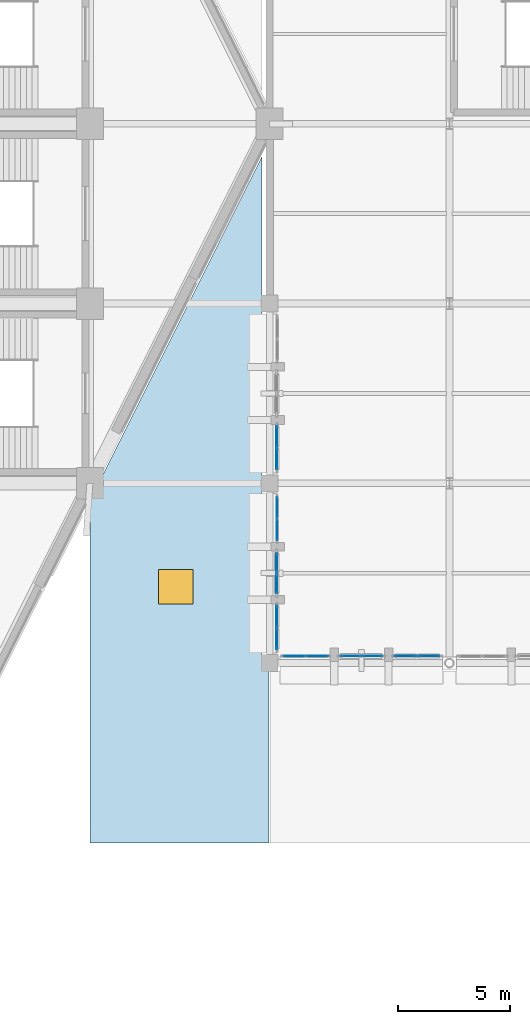
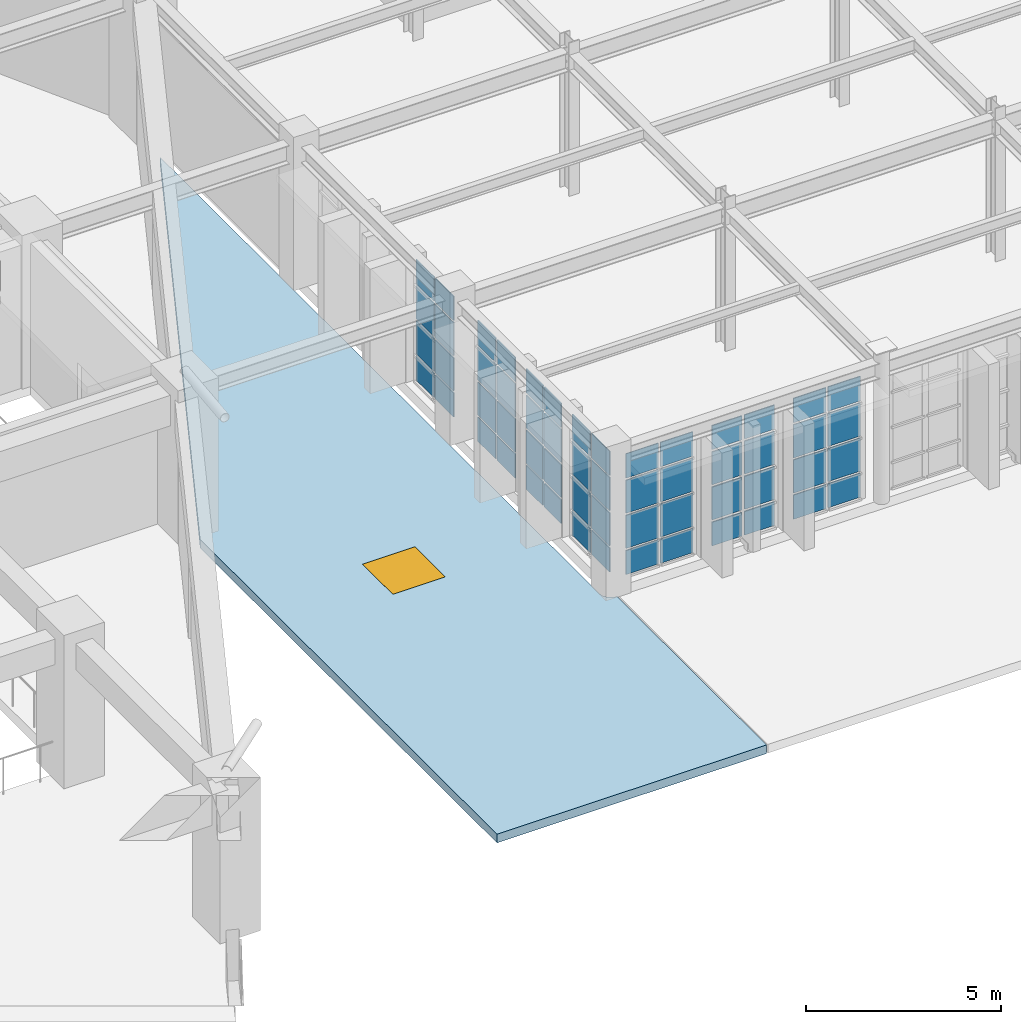
# One storey, part 109 of 155: 56 plates, 1 slab, 1 window, 1 opening, 7 elements without a shape of their own.
"""IFC4 building model written with IfcOpenShell, lengths in metres."""

from ifc_helpers import new_model, si_unit, direction, frame, origin, origin_2d, place, context, subcontext, project, spatial, polyline, rectangle, outline, extrude, material, layer, layer_set, type_object, element, fill, aggregate, save


model = new_model("IFC4")

# Units and contexts
model_context = context("Model", 3, precision=1e-05, world=origin(), true_north=direction((0.0, 1.0)))
body_context = subcontext(model_context, "Body", "Model", "MODEL_VIEW")
ifc_project = project(units=[si_unit("LENGTHUNIT", "METRE"), si_unit("AREAUNIT", "SQUARE_METRE"), si_unit("VOLUMEUNIT", "CUBIC_METRE"), si_unit("PLANEANGLEUNIT", "RADIAN"), si_unit("MASSUNIT", "GRAM", prefix="KILO")], contexts=[model_context])

# Site, building, storey
site_placement = place(None, origin())
site = spatial("IfcSite", under=ifc_project, at=site_placement, CompositionType="ELEMENT")
building_placement = place(site_placement, origin())
building = spatial("IfcBuilding", under=site, at=building_placement, Name="Tazarka Park Arena", CompositionType="ELEMENT")
storey_placement = place(building_placement, frame((0.0, 0.0, 5.39990234375)))
storey = spatial("IfcBuildingStorey", under=building, at=storey_placement, Name="L01", CompositionType="ELEMENT", Elevation=5.39990234375)

# Curtain wall, plates
ifc_material_1 = material(Name="Aluminium and low-e glass", Category="aluminium")
ifc_layer_1 = layer(ifc_material_1, 0.179931640625, Name="Aluminium and low-e glass")
ifc_layer_set_1 = layer_set([ifc_layer_1], Name="Aluminium and low-e glass")
curtain_wall_type_1 = type_object("IfcCurtainWallType", Name="CW-15", PredefinedType="NOTDEFINED", material=ifc_layer_set_1)
curtain_wall_1_placement = place(storey_placement, origin())
curtain_wall_1 = element("IfcCurtainWall", 1, at=curtain_wall_1_placement, inside=storey, type_object=curtain_wall_type_1, Name="Curtain Wall CWA-L01-165", PredefinedType="NOTDEFINED")
ifc_material_2 = material(Name="Double low-e insulated glazing", Category="glass")
ifc_layer_2 = layer(ifc_material_2, 0.028076171875, Name="Double low-e insulated glazing")
ifc_layer_set_2 = layer_set([ifc_layer_2], Name="Double low-e insulated glazing")
plate_type_1 = type_object("IfcPlateType", Name="CWP-01", PredefinedType="CURTAIN_PANEL", material=ifc_layer_set_2)
plate_1_placement = place(storey_placement, frame((136.320068359375, 45.92138671875, 0.065185546875), z_axis=(0.0, 0.0, 1.0), x_axis=(0.0, 1.0, 0.0)))
plate_1 = element("IfcPlate", 2, at=plate_1_placement, type_object=plate_type_1, Name="CW-15 panel 1.1", PredefinedType="CURTAIN_PANEL", context=body_context, shape_type="SweptSolid", body=[
    extrude(rectangle(XDim=0.92919921875, YDim=0.028076171875, at=origin_2d()), origin(), (0.0, 0.0, 1.0), 0.75244140625),
])
plate_2_placement = place(storey_placement, frame((136.320068359375, 45.92138671875, 0.8828125), z_axis=(0.0, 0.0, 1.0), x_axis=(0.0, 1.0, 0.0)))
plate_2 = element("IfcPlate", 3, at=plate_2_placement, type_object=plate_type_1, Name="CW-15 panel 1.2", PredefinedType="CURTAIN_PANEL", context=body_context, shape_type="SweptSolid", body=[
    extrude(rectangle(XDim=0.92919921875, YDim=0.028076171875, at=origin_2d()), origin(), (0.0, 0.0, 1.0), 1.034912109375),
])
plate_3_placement = place(storey_placement, frame((136.320068359375, 45.92138671875, 1.982421875), z_axis=(0.0, 0.0, 1.0), x_axis=(0.0, 1.0, 0.0)))
plate_3 = element("IfcPlate", 4, at=plate_3_placement, type_object=plate_type_1, Name="CW-15 panel 1.3", PredefinedType="CURTAIN_PANEL", context=body_context, shape_type="SweptSolid", body=[
    extrude(rectangle(XDim=0.92919921875, YDim=0.028076171875, at=origin_2d()), origin(), (0.0, 0.0, 1.0), 1.034912109375),
])
plate_4_placement = place(storey_placement, frame((136.320068359375, 45.92138671875, 3.08251953125), z_axis=(0.0, 0.0, 1.0), x_axis=(0.0, 1.0, 0.0)))
plate_4 = element("IfcPlate", 5, at=plate_4_placement, type_object=plate_type_1, Name="CW-15 panel 1.4", PredefinedType="CURTAIN_PANEL", context=body_context, shape_type="SweptSolid", body=[
    extrude(rectangle(XDim=0.92919921875, YDim=0.028076171875, at=origin_2d()), origin(), (0.0, 0.0, 1.0), 0.762451171875),
])
plate_5_placement = place(storey_placement, frame((136.320068359375, 46.91552734375, 0.065185546875), z_axis=(0.0, 0.0, 1.0), x_axis=(0.0, 1.0, 0.0)))
plate_5 = element("IfcPlate", 6, at=plate_5_placement, type_object=plate_type_1, Name="CW-15 panel 2.1", PredefinedType="CURTAIN_PANEL", context=body_context, shape_type="SweptSolid", body=[
    extrude(rectangle(XDim=0.92919921875, YDim=0.028076171875, at=origin_2d()), origin(), (0.0, 0.0, 1.0), 0.75244140625),
])
plate_6_placement = place(storey_placement, frame((136.320068359375, 46.91552734375, 0.8828125), z_axis=(0.0, 0.0, 1.0), x_axis=(0.0, 1.0, 0.0)))
plate_6 = element("IfcPlate", 7, at=plate_6_placement, type_object=plate_type_1, Name="CW-15 panel 2.2", PredefinedType="CURTAIN_PANEL", context=body_context, shape_type="SweptSolid", body=[
    extrude(rectangle(XDim=0.92919921875, YDim=0.028076171875, at=origin_2d()), origin(), (0.0, 0.0, 1.0), 1.034912109375),
])
plate_7_placement = place(storey_placement, frame((136.320068359375, 46.91552734375, 1.982421875), z_axis=(0.0, 0.0, 1.0), x_axis=(0.0, 1.0, 0.0)))
plate_7 = element("IfcPlate", 8, at=plate_7_placement, type_object=plate_type_1, Name="CW-15 panel 2.3", PredefinedType="CURTAIN_PANEL", context=body_context, shape_type="SweptSolid", body=[
    extrude(rectangle(XDim=0.92919921875, YDim=0.028076171875, at=origin_2d()), origin(), (0.0, 0.0, 1.0), 1.034912109375),
])
plate_8_placement = place(storey_placement, frame((136.320068359375, 46.91552734375, 3.08251953125), z_axis=(0.0, 0.0, 1.0), x_axis=(0.0, 1.0, 0.0)))
plate_8 = element("IfcPlate", 9, at=plate_8_placement, type_object=plate_type_1, Name="CW-15 panel 2.4", PredefinedType="CURTAIN_PANEL", context=body_context, shape_type="SweptSolid", body=[
    extrude(rectangle(XDim=0.92919921875, YDim=0.028076171875, at=origin_2d()), origin(), (0.0, 0.0, 1.0), 0.762451171875),
])
aggregate(curtain_wall_1, [plate_1, plate_2, plate_3, plate_4, plate_5, plate_6, plate_7, plate_8])

ifc_material_3 = material(Name="Aluminium and low-e glass", Category="aluminium")
ifc_layer_3 = layer(ifc_material_3, 0.179931640625, Name="Aluminium and low-e glass")
ifc_layer_set_3 = layer_set([ifc_layer_3], Name="Aluminium and low-e glass")
curtain_wall_type_2 = type_object("IfcCurtainWallType", Name="CW-18", PredefinedType="NOTDEFINED", material=ifc_layer_set_3)
curtain_wall_2_placement = place(storey_placement, origin())
curtain_wall_2 = element("IfcCurtainWall", 10, at=curtain_wall_2_placement, inside=storey, type_object=curtain_wall_type_2, Name="Curtain Wall CWA-L01-168", PredefinedType="NOTDEFINED")
plate_9_placement = place(storey_placement, frame((138.12158203125, 40.320068359375, 0.065185546875), z_axis=(0.0, 0.0, 1.0), x_axis=(-1.0, 0.0, 0.0)))
plate_9 = element("IfcPlate", 11, at=plate_9_placement, type_object=plate_type_1, Name="CW-18 panel 1.1", PredefinedType="CURTAIN_PANEL", context=body_context, shape_type="SweptSolid", body=[
    extrude(rectangle(XDim=0.957763671875, YDim=0.028076171875, at=origin_2d()), origin(), (0.0, 0.0, 1.0), 0.75244140625),
])
plate_10_placement = place(storey_placement, frame((138.12158203125, 40.320068359375, 0.8828125), z_axis=(0.0, 0.0, 1.0), x_axis=(-1.0, 0.0, 0.0)))
plate_10 = element("IfcPlate", 12, at=plate_10_placement, type_object=plate_type_1, Name="CW-18 panel 1.2", PredefinedType="CURTAIN_PANEL", context=body_context, shape_type="SweptSolid", body=[
    extrude(rectangle(XDim=0.957763671875, YDim=0.028076171875, at=origin_2d()), origin(), (0.0, 0.0, 1.0), 1.034912109375),
])
plate_11_placement = place(storey_placement, frame((138.12158203125, 40.320068359375, 1.982421875), z_axis=(0.0, 0.0, 1.0), x_axis=(-1.0, 0.0, 0.0)))
plate_11 = element("IfcPlate", 13, at=plate_11_placement, type_object=plate_type_1, Name="CW-18 panel 1.3", PredefinedType="CURTAIN_PANEL", context=body_context, shape_type="SweptSolid", body=[
    extrude(rectangle(XDim=0.957763671875, YDim=0.028076171875, at=origin_2d()), origin(), (0.0, 0.0, 1.0), 1.034912109375),
])
plate_12_placement = place(storey_placement, frame((138.12158203125, 40.320068359375, 3.08251953125), z_axis=(0.0, 0.0, 1.0), x_axis=(-1.0, 0.0, 0.0)))
plate_12 = element("IfcPlate", 14, at=plate_12_placement, type_object=plate_type_1, Name="CW-18 panel 1.4", PredefinedType="CURTAIN_PANEL", context=body_context, shape_type="SweptSolid", body=[
    extrude(rectangle(XDim=0.957763671875, YDim=0.028076171875, at=origin_2d()), origin(), (0.0, 0.0, 1.0), 0.762451171875),
])
plate_13_placement = place(storey_placement, frame((137.098876953125, 40.320068359375, 0.065185546875), z_axis=(0.0, 0.0, 1.0), x_axis=(-1.0, 0.0, 0.0)))
plate_13 = element("IfcPlate", 15, at=plate_13_placement, type_object=plate_type_1, Name="CW-18 panel 2.1", PredefinedType="CURTAIN_PANEL", context=body_context, shape_type="SweptSolid", body=[
    extrude(rectangle(XDim=0.957763671875, YDim=0.028076171875, at=origin_2d()), origin(), (0.0, 0.0, 1.0), 0.75244140625),
])
plate_14_placement = place(storey_placement, frame((137.098876953125, 40.320068359375, 0.8828125), z_axis=(0.0, 0.0, 1.0), x_axis=(-1.0, 0.0, 0.0)))
plate_14 = element("IfcPlate", 16, at=plate_14_placement, type_object=plate_type_1, Name="CW-18 panel 2.2", PredefinedType="CURTAIN_PANEL", context=body_context, shape_type="SweptSolid", body=[
    extrude(rectangle(XDim=0.957763671875, YDim=0.028076171875, at=origin_2d()), origin(), (0.0, 0.0, 1.0), 1.034912109375),
])
plate_15_placement = place(storey_placement, frame((137.098876953125, 40.320068359375, 1.982421875), z_axis=(0.0, 0.0, 1.0), x_axis=(-1.0, 0.0, 0.0)))
plate_15 = element("IfcPlate", 17, at=plate_15_placement, type_object=plate_type_1, Name="CW-18 panel 2.3", PredefinedType="CURTAIN_PANEL", context=body_context, shape_type="SweptSolid", body=[
    extrude(rectangle(XDim=0.957763671875, YDim=0.028076171875, at=origin_2d()), origin(), (0.0, 0.0, 1.0), 1.034912109375),
])
plate_16_placement = place(storey_placement, frame((137.098876953125, 40.320068359375, 3.08251953125), z_axis=(0.0, 0.0, 1.0), x_axis=(-1.0, 0.0, 0.0)))
plate_16 = element("IfcPlate", 18, at=plate_16_placement, type_object=plate_type_1, Name="CW-18 panel 2.4", PredefinedType="CURTAIN_PANEL", context=body_context, shape_type="SweptSolid", body=[
    extrude(rectangle(XDim=0.957763671875, YDim=0.028076171875, at=origin_2d()), origin(), (0.0, 0.0, 1.0), 0.762451171875),
])
aggregate(curtain_wall_2, [plate_9, plate_10, plate_11, plate_12, plate_13, plate_14, plate_15, plate_16])

ifc_material_4 = material(Name="Aluminium and low-e glass", Category="aluminium")
ifc_layer_4 = layer(ifc_material_4, 0.179931640625, Name="Aluminium and low-e glass")
ifc_layer_set_4 = layer_set([ifc_layer_4], Name="Aluminium and low-e glass")
curtain_wall_type_3 = type_object("IfcCurtainWallType", Name="CW-10", PredefinedType="NOTDEFINED", material=ifc_layer_set_4)
curtain_wall_3_placement = place(storey_placement, origin())
curtain_wall_3 = element("IfcCurtainWall", 19, at=curtain_wall_3_placement, inside=storey, type_object=curtain_wall_type_3, Name="Curtain Wall CWA-L01-160", PredefinedType="NOTDEFINED")
ifc_material_5 = material(Name="Triple acoustic solar glazing", Category="glass")
ifc_layer_5 = layer(ifc_material_5, 0.031982421875, Name="Triple acoustic solar glazing")
ifc_layer_set_5 = layer_set([ifc_layer_5], Name="Triple acoustic solar glazing")
plate_type_2 = type_object("IfcPlateType", Name="CWP-02", PredefinedType="CURTAIN_PANEL", material=ifc_layer_set_5)
plate_17_placement = place(storey_placement, frame((136.320068359375, 49.08447265625, 0.065185546875), z_axis=(0.0, 0.0, 1.0), x_axis=(0.0, 1.0, 0.0)))
plate_17 = element("IfcPlate", 20, at=plate_17_placement, type_object=plate_type_2, Name="CW-10 panel 1.1", PredefinedType="CURTAIN_PANEL", context=body_context, shape_type="SweptSolid", body=[
    extrude(rectangle(XDim=0.92919921875, YDim=0.031982421875, at=origin_2d()), origin(), (0.0, 0.0, 1.0), 0.75244140625),
])
plate_18_placement = place(storey_placement, frame((136.320068359375, 49.08447265625, 0.8828125), z_axis=(0.0, 0.0, 1.0), x_axis=(0.0, 1.0, 0.0)))
plate_18 = element("IfcPlate", 21, at=plate_18_placement, type_object=plate_type_2, Name="CW-10 panel 1.2", PredefinedType="CURTAIN_PANEL", context=body_context, shape_type="SweptSolid", body=[
    extrude(rectangle(XDim=0.92919921875, YDim=0.031982421875, at=origin_2d()), origin(), (0.0, 0.0, 1.0), 1.034912109375),
])
plate_19_placement = place(storey_placement, frame((136.320068359375, 49.08447265625, 1.982421875), z_axis=(0.0, 0.0, 1.0), x_axis=(0.0, 1.0, 0.0)))
plate_19 = element("IfcPlate", 22, at=plate_19_placement, type_object=plate_type_2, Name="CW-10 panel 1.3", PredefinedType="CURTAIN_PANEL", context=body_context, shape_type="SweptSolid", body=[
    extrude(rectangle(XDim=0.92919921875, YDim=0.031982421875, at=origin_2d()), origin(), (0.0, 0.0, 1.0), 1.034912109375),
])
plate_20_placement = place(storey_placement, frame((136.320068359375, 49.08447265625, 3.08251953125), z_axis=(0.0, 0.0, 1.0), x_axis=(0.0, 1.0, 0.0)))
plate_20 = element("IfcPlate", 23, at=plate_20_placement, type_object=plate_type_2, Name="CW-10 panel 1.4", PredefinedType="CURTAIN_PANEL", context=body_context, shape_type="SweptSolid", body=[
    extrude(rectangle(XDim=0.92919921875, YDim=0.031982421875, at=origin_2d()), origin(), (0.0, 0.0, 1.0), 0.75244140625),
])
plate_21_placement = place(storey_placement, frame((136.320068359375, 50.07861328125, 0.065185546875), z_axis=(0.0, 0.0, 1.0), x_axis=(0.0, 1.0, 0.0)))
plate_21 = element("IfcPlate", 24, at=plate_21_placement, type_object=plate_type_2, Name="CW-10 panel 2.1", PredefinedType="CURTAIN_PANEL", context=body_context, shape_type="SweptSolid", body=[
    extrude(rectangle(XDim=0.92919921875, YDim=0.031982421875, at=origin_2d()), origin(), (0.0, 0.0, 1.0), 0.75244140625),
])
plate_22_placement = place(storey_placement, frame((136.320068359375, 50.07861328125, 0.8828125), z_axis=(0.0, 0.0, 1.0), x_axis=(0.0, 1.0, 0.0)))
plate_22 = element("IfcPlate", 25, at=plate_22_placement, type_object=plate_type_2, Name="CW-10 panel 2.2", PredefinedType="CURTAIN_PANEL", context=body_context, shape_type="SweptSolid", body=[
    extrude(rectangle(XDim=0.92919921875, YDim=0.031982421875, at=origin_2d()), origin(), (0.0, 0.0, 1.0), 1.034912109375),
])
plate_23_placement = place(storey_placement, frame((136.320068359375, 50.07861328125, 1.982421875), z_axis=(0.0, 0.0, 1.0), x_axis=(0.0, 1.0, 0.0)))
plate_23 = element("IfcPlate", 26, at=plate_23_placement, type_object=plate_type_2, Name="CW-10 panel 2.3", PredefinedType="CURTAIN_PANEL", context=body_context, shape_type="SweptSolid", body=[
    extrude(rectangle(XDim=0.92919921875, YDim=0.031982421875, at=origin_2d()), origin(), (0.0, 0.0, 1.0), 1.034912109375),
])
plate_24_placement = place(storey_placement, frame((136.320068359375, 50.07861328125, 3.08251953125), z_axis=(0.0, 0.0, 1.0), x_axis=(0.0, 1.0, 0.0)))
plate_24 = element("IfcPlate", 27, at=plate_24_placement, type_object=plate_type_2, Name="CW-10 panel 2.4", PredefinedType="CURTAIN_PANEL", context=body_context, shape_type="SweptSolid", body=[
    extrude(rectangle(XDim=0.92919921875, YDim=0.031982421875, at=origin_2d()), origin(), (0.0, 0.0, 1.0), 0.75244140625),
])
aggregate(curtain_wall_3, [plate_17, plate_18, plate_19, plate_20, plate_21, plate_22, plate_23, plate_24])

ifc_material_6 = material(Name="Aluminium and low-e glass", Category="aluminium")
ifc_layer_6 = layer(ifc_material_6, 0.179931640625, Name="Aluminium and low-e glass")
ifc_layer_set_6 = layer_set([ifc_layer_6], Name="Aluminium and low-e glass")
curtain_wall_type_4 = type_object("IfcCurtainWallType", Name="CW-13", PredefinedType="NOTDEFINED", material=ifc_layer_set_6)
curtain_wall_4_placement = place(storey_placement, origin())
curtain_wall_4 = element("IfcCurtainWall", 28, at=curtain_wall_4_placement, inside=storey, type_object=curtain_wall_type_4, Name="Curtain Wall CWA-L01-163", PredefinedType="NOTDEFINED")
plate_25_placement = place(storey_placement, frame((136.320068359375, 41.08447265625, 0.065185546875), z_axis=(0.0, 0.0, 1.0), x_axis=(0.0, 1.0, 0.0)))
plate_25 = element("IfcPlate", 29, at=plate_25_placement, type_object=plate_type_2, Name="CW-13 panel 1.1", PredefinedType="CURTAIN_PANEL", context=body_context, shape_type="SweptSolid", body=[
    extrude(rectangle(XDim=0.92919921875, YDim=0.031982421875, at=origin_2d()), origin(), (0.0, 0.0, 1.0), 0.75244140625),
])
plate_26_placement = place(storey_placement, frame((136.320068359375, 41.08447265625, 0.8828125), z_axis=(0.0, 0.0, 1.0), x_axis=(0.0, 1.0, 0.0)))
plate_26 = element("IfcPlate", 30, at=plate_26_placement, type_object=plate_type_2, Name="CW-13 panel 1.2", PredefinedType="CURTAIN_PANEL", context=body_context, shape_type="SweptSolid", body=[
    extrude(rectangle(XDim=0.92919921875, YDim=0.031982421875, at=origin_2d()), origin(), (0.0, 0.0, 1.0), 1.034912109375),
])
plate_27_placement = place(storey_placement, frame((136.320068359375, 41.08447265625, 1.982421875), z_axis=(0.0, 0.0, 1.0), x_axis=(0.0, 1.0, 0.0)))
plate_27 = element("IfcPlate", 31, at=plate_27_placement, type_object=plate_type_2, Name="CW-13 panel 1.3", PredefinedType="CURTAIN_PANEL", context=body_context, shape_type="SweptSolid", body=[
    extrude(rectangle(XDim=0.92919921875, YDim=0.031982421875, at=origin_2d()), origin(), (0.0, 0.0, 1.0), 1.034912109375),
])
plate_28_placement = place(storey_placement, frame((136.320068359375, 41.08447265625, 3.08251953125), z_axis=(0.0, 0.0, 1.0), x_axis=(0.0, 1.0, 0.0)))
plate_28 = element("IfcPlate", 32, at=plate_28_placement, type_object=plate_type_2, Name="CW-13 panel 1.4", PredefinedType="CURTAIN_PANEL", context=body_context, shape_type="SweptSolid", body=[
    extrude(rectangle(XDim=0.92919921875, YDim=0.031982421875, at=origin_2d()), origin(), (0.0, 0.0, 1.0), 0.762451171875),
])
plate_29_placement = place(storey_placement, frame((136.320068359375, 42.07861328125, 0.065185546875), z_axis=(0.0, 0.0, 1.0), x_axis=(0.0, 1.0, 0.0)))
plate_29 = element("IfcPlate", 33, at=plate_29_placement, type_object=plate_type_2, Name="CW-13 panel 2.1", PredefinedType="CURTAIN_PANEL", context=body_context, shape_type="SweptSolid", body=[
    extrude(rectangle(XDim=0.92919921875, YDim=0.031982421875, at=origin_2d()), origin(), (0.0, 0.0, 1.0), 0.75244140625),
])
plate_30_placement = place(storey_placement, frame((136.320068359375, 42.07861328125, 0.8828125), z_axis=(0.0, 0.0, 1.0), x_axis=(0.0, 1.0, 0.0)))
plate_30 = element("IfcPlate", 34, at=plate_30_placement, type_object=plate_type_2, Name="CW-13 panel 2.2", PredefinedType="CURTAIN_PANEL", context=body_context, shape_type="SweptSolid", body=[
    extrude(rectangle(XDim=0.92919921875, YDim=0.031982421875, at=origin_2d()), origin(), (0.0, 0.0, 1.0), 1.034912109375),
])
plate_31_placement = place(storey_placement, frame((136.320068359375, 42.07861328125, 1.982421875), z_axis=(0.0, 0.0, 1.0), x_axis=(0.0, 1.0, 0.0)))
plate_31 = element("IfcPlate", 35, at=plate_31_placement, type_object=plate_type_2, Name="CW-13 panel 2.3", PredefinedType="CURTAIN_PANEL", context=body_context, shape_type="SweptSolid", body=[
    extrude(rectangle(XDim=0.92919921875, YDim=0.031982421875, at=origin_2d()), origin(), (0.0, 0.0, 1.0), 1.034912109375),
])
plate_32_placement = place(storey_placement, frame((136.320068359375, 42.07861328125, 3.08251953125), z_axis=(0.0, 0.0, 1.0), x_axis=(0.0, 1.0, 0.0)))
plate_32 = element("IfcPlate", 36, at=plate_32_placement, type_object=plate_type_2, Name="CW-13 panel 2.4", PredefinedType="CURTAIN_PANEL", context=body_context, shape_type="SweptSolid", body=[
    extrude(rectangle(XDim=0.92919921875, YDim=0.031982421875, at=origin_2d()), origin(), (0.0, 0.0, 1.0), 0.762451171875),
])
aggregate(curtain_wall_4, [plate_25, plate_26, plate_27, plate_28, plate_29, plate_30, plate_31, plate_32])

ifc_material_7 = material(Name="Aluminium and low-e glass", Category="aluminium")
ifc_layer_7 = layer(ifc_material_7, 0.179931640625, Name="Aluminium and low-e glass")
ifc_layer_set_7 = layer_set([ifc_layer_7], Name="Aluminium and low-e glass")
curtain_wall_type_5 = type_object("IfcCurtainWallType", Name="CW-16", PredefinedType="NOTDEFINED", material=ifc_layer_set_7)
curtain_wall_5_placement = place(storey_placement, origin())
curtain_wall_5 = element("IfcCurtainWall", 37, at=curtain_wall_5_placement, inside=storey, type_object=curtain_wall_type_5, Name="Curtain Wall CWA-L01-166", PredefinedType="NOTDEFINED")
plate_33_placement = place(storey_placement, frame((143.072998046875, 40.320068359375, 0.065185546875), z_axis=(0.0, 0.0, 1.0), x_axis=(-1.0, 0.0, 0.0)))
plate_33 = element("IfcPlate", 38, at=plate_33_placement, type_object=plate_type_2, Name="CW-16 panel 1.1", PredefinedType="CURTAIN_PANEL", context=body_context, shape_type="SweptSolid", body=[
    extrude(rectangle(XDim=0.957763671875, YDim=0.031982421875, at=origin_2d()), origin(), (0.0, 0.0, 1.0), 0.75244140625),
])
plate_34_placement = place(storey_placement, frame((143.072998046875, 40.320068359375, 0.8828125), z_axis=(0.0, 0.0, 1.0), x_axis=(-1.0, 0.0, 0.0)))
plate_34 = element("IfcPlate", 39, at=plate_34_placement, type_object=plate_type_2, Name="CW-16 panel 1.2", PredefinedType="CURTAIN_PANEL", context=body_context, shape_type="SweptSolid", body=[
    extrude(rectangle(XDim=0.957763671875, YDim=0.031982421875, at=origin_2d()), origin(), (0.0, 0.0, 1.0), 1.034912109375),
])
plate_35_placement = place(storey_placement, frame((143.072998046875, 40.320068359375, 1.982421875), z_axis=(0.0, 0.0, 1.0), x_axis=(-1.0, 0.0, 0.0)))
plate_35 = element("IfcPlate", 40, at=plate_35_placement, type_object=plate_type_2, Name="CW-16 panel 1.3", PredefinedType="CURTAIN_PANEL", context=body_context, shape_type="SweptSolid", body=[
    extrude(rectangle(XDim=0.957763671875, YDim=0.031982421875, at=origin_2d()), origin(), (0.0, 0.0, 1.0), 1.034912109375),
])
plate_36_placement = place(storey_placement, frame((143.072998046875, 40.320068359375, 3.08251953125), z_axis=(0.0, 0.0, 1.0), x_axis=(-1.0, 0.0, 0.0)))
plate_36 = element("IfcPlate", 41, at=plate_36_placement, type_object=plate_type_2, Name="CW-16 panel 1.4", PredefinedType="CURTAIN_PANEL", context=body_context, shape_type="SweptSolid", body=[
    extrude(rectangle(XDim=0.957763671875, YDim=0.031982421875, at=origin_2d()), origin(), (0.0, 0.0, 1.0), 0.762451171875),
])
plate_37_placement = place(storey_placement, frame((142.050048828125, 40.320068359375, 0.065185546875), z_axis=(0.0, 0.0, 1.0), x_axis=(-1.0, 0.0, 0.0)))
plate_37 = element("IfcPlate", 42, at=plate_37_placement, type_object=plate_type_2, Name="CW-16 panel 2.1", PredefinedType="CURTAIN_PANEL", context=body_context, shape_type="SweptSolid", body=[
    extrude(rectangle(XDim=0.957763671875, YDim=0.031982421875, at=origin_2d()), origin(), (0.0, 0.0, 1.0), 0.75244140625),
])
plate_38_placement = place(storey_placement, frame((142.050048828125, 40.320068359375, 0.8828125), z_axis=(0.0, 0.0, 1.0), x_axis=(-1.0, 0.0, 0.0)))
plate_38 = element("IfcPlate", 43, at=plate_38_placement, type_object=plate_type_2, Name="CW-16 panel 2.2", PredefinedType="CURTAIN_PANEL", context=body_context, shape_type="SweptSolid", body=[
    extrude(rectangle(XDim=0.957763671875, YDim=0.031982421875, at=origin_2d()), origin(), (0.0, 0.0, 1.0), 1.034912109375),
])
plate_39_placement = place(storey_placement, frame((142.050048828125, 40.320068359375, 1.982421875), z_axis=(0.0, 0.0, 1.0), x_axis=(-1.0, 0.0, 0.0)))
plate_39 = element("IfcPlate", 44, at=plate_39_placement, type_object=plate_type_2, Name="CW-16 panel 2.3", PredefinedType="CURTAIN_PANEL", context=body_context, shape_type="SweptSolid", body=[
    extrude(rectangle(XDim=0.957763671875, YDim=0.031982421875, at=origin_2d()), origin(), (0.0, 0.0, 1.0), 1.034912109375),
])
plate_40_placement = place(storey_placement, frame((142.050048828125, 40.320068359375, 3.08251953125), z_axis=(0.0, 0.0, 1.0), x_axis=(-1.0, 0.0, 0.0)))
plate_40 = element("IfcPlate", 45, at=plate_40_placement, type_object=plate_type_2, Name="CW-16 panel 2.4", PredefinedType="CURTAIN_PANEL", context=body_context, shape_type="SweptSolid", body=[
    extrude(rectangle(XDim=0.957763671875, YDim=0.031982421875, at=origin_2d()), origin(), (0.0, 0.0, 1.0), 0.762451171875),
])
aggregate(curtain_wall_5, [plate_33, plate_34, plate_35, plate_36, plate_37, plate_38, plate_39, plate_40])

ifc_material_8 = material(Name="Aluminium and low-e glass", Category="aluminium")
ifc_layer_8 = layer(ifc_material_8, 0.179931640625, Name="Aluminium and low-e glass")
ifc_layer_set_8 = layer_set([ifc_layer_8], Name="Aluminium and low-e glass")
curtain_wall_type_6 = type_object("IfcCurtainWallType", Name="CW-14", PredefinedType="NOTDEFINED", material=ifc_layer_set_8)
curtain_wall_6_placement = place(storey_placement, origin())
curtain_wall_6 = element("IfcCurtainWall", 46, at=curtain_wall_6_placement, inside=storey, type_object=curtain_wall_type_6, Name="Curtain Wall CWA-L01-164", PredefinedType="NOTDEFINED")
ifc_material_9 = material(Name="Insulated aluminium spandrel panel", Category="aluminium")
ifc_layer_9 = layer(ifc_material_9, 0.035888671875, Name="Insulated aluminium spandrel panel")
ifc_layer_set_9 = layer_set([ifc_layer_9], Name="Insulated aluminium spandrel panel")
plate_type_3 = type_object("IfcPlateType", Name="CWP-03", PredefinedType="CURTAIN_PANEL", material=ifc_layer_set_9)
plate_41_placement = place(storey_placement, frame((136.320068359375, 43.532958984375, 0.0751953125), z_axis=(0.0, 0.0, 1.0), x_axis=(0.0, 1.0, 0.0)))
plate_41 = element("IfcPlate", 47, at=plate_41_placement, type_object=plate_type_3, Name="CW-14 panel 1.1", PredefinedType="CURTAIN_PANEL", context=body_context, shape_type="SweptSolid", body=[
    extrude(rectangle(XDim=0.859130859375, YDim=0.035888671875, at=origin_2d()), origin(), (0.0, 0.0, 1.0), 0.737548828125),
])
plate_42_placement = place(storey_placement, frame((136.320068359375, 43.532958984375, 0.8876953125), z_axis=(0.0, 0.0, 1.0), x_axis=(0.0, 1.0, 0.0)))
plate_42 = element("IfcPlate", 48, at=plate_42_placement, type_object=plate_type_3, Name="CW-14 panel 1.2", PredefinedType="CURTAIN_PANEL", context=body_context, shape_type="SweptSolid", body=[
    extrude(rectangle(XDim=0.859130859375, YDim=0.035888671875, at=origin_2d()), origin(), (0.0, 0.0, 1.0), 1.02490234375),
])
plate_43_placement = place(storey_placement, frame((136.320068359375, 43.532958984375, 1.987548828125), z_axis=(0.0, 0.0, 1.0), x_axis=(0.0, 1.0, 0.0)))
plate_43 = element("IfcPlate", 49, at=plate_43_placement, type_object=plate_type_3, Name="CW-14 panel 1.3", PredefinedType="CURTAIN_PANEL", context=body_context, shape_type="SweptSolid", body=[
    extrude(rectangle(XDim=0.859130859375, YDim=0.035888671875, at=origin_2d()), origin(), (0.0, 0.0, 1.0), 1.02490234375),
])
plate_44_placement = place(storey_placement, frame((136.320068359375, 43.532958984375, 3.087646484375), z_axis=(0.0, 0.0, 1.0), x_axis=(0.0, 1.0, 0.0)))
plate_44 = element("IfcPlate", 50, at=plate_44_placement, type_object=plate_type_3, Name="CW-14 panel 1.4", PredefinedType="CURTAIN_PANEL", context=body_context, shape_type="SweptSolid", body=[
    extrude(rectangle(XDim=0.859130859375, YDim=0.035888671875, at=origin_2d()), origin(), (0.0, 0.0, 1.0), 0.74755859375),
])
plate_45_placement = place(storey_placement, frame((136.320068359375, 44.467041015625, 0.0751953125), z_axis=(0.0, 0.0, 1.0), x_axis=(0.0, 1.0, 0.0)))
plate_45 = element("IfcPlate", 51, at=plate_45_placement, type_object=plate_type_3, Name="CW-14 panel 2.1", PredefinedType="CURTAIN_PANEL", context=body_context, shape_type="SweptSolid", body=[
    extrude(rectangle(XDim=0.859130859375, YDim=0.035888671875, at=origin_2d()), origin(), (0.0, 0.0, 1.0), 0.737548828125),
])
plate_46_placement = place(storey_placement, frame((136.320068359375, 44.467041015625, 0.8876953125), z_axis=(0.0, 0.0, 1.0), x_axis=(0.0, 1.0, 0.0)))
plate_46 = element("IfcPlate", 52, at=plate_46_placement, type_object=plate_type_3, Name="CW-14 panel 2.2", PredefinedType="CURTAIN_PANEL", context=body_context, shape_type="SweptSolid", body=[
    extrude(rectangle(XDim=0.859130859375, YDim=0.035888671875, at=origin_2d()), origin(), (0.0, 0.0, 1.0), 1.02490234375),
])
plate_47_placement = place(storey_placement, frame((136.320068359375, 44.467041015625, 1.987548828125), z_axis=(0.0, 0.0, 1.0), x_axis=(0.0, 1.0, 0.0)))
plate_47 = element("IfcPlate", 53, at=plate_47_placement, type_object=plate_type_3, Name="CW-14 panel 2.3", PredefinedType="CURTAIN_PANEL", context=body_context, shape_type="SweptSolid", body=[
    extrude(rectangle(XDim=0.859130859375, YDim=0.035888671875, at=origin_2d()), origin(), (0.0, 0.0, 1.0), 1.02490234375),
])
plate_48_placement = place(storey_placement, frame((136.320068359375, 44.467041015625, 3.087646484375), z_axis=(0.0, 0.0, 1.0), x_axis=(0.0, 1.0, 0.0)))
plate_48 = element("IfcPlate", 54, at=plate_48_placement, type_object=plate_type_3, Name="CW-14 panel 2.4", PredefinedType="CURTAIN_PANEL", context=body_context, shape_type="SweptSolid", body=[
    extrude(rectangle(XDim=0.859130859375, YDim=0.035888671875, at=origin_2d()), origin(), (0.0, 0.0, 1.0), 0.74755859375),
])
aggregate(curtain_wall_6, [plate_41, plate_42, plate_43, plate_44, plate_45, plate_46, plate_47, plate_48])

ifc_material_10 = material(Name="Aluminium and low-e glass", Category="aluminium")
ifc_layer_10 = layer(ifc_material_10, 0.179931640625, Name="Aluminium and low-e glass")
ifc_layer_set_10 = layer_set([ifc_layer_10], Name="Aluminium and low-e glass")
curtain_wall_type_7 = type_object("IfcCurtainWallType", Name="CW-17", PredefinedType="NOTDEFINED", material=ifc_layer_set_10)
curtain_wall_7_placement = place(storey_placement, origin())
curtain_wall_7 = element("IfcCurtainWall", 55, at=curtain_wall_7_placement, inside=storey, type_object=curtain_wall_type_7, Name="Curtain Wall CWA-L01-167", PredefinedType="NOTDEFINED")
plate_49_placement = place(storey_placement, frame((140.5673828125, 40.320068359375, 0.0751953125), z_axis=(0.0, 0.0, 1.0), x_axis=(-1.0, 0.0, 0.0)))
plate_49 = element("IfcPlate", 56, at=plate_49_placement, type_object=plate_type_3, Name="CW-17 panel 1.1", PredefinedType="CURTAIN_PANEL", context=body_context, shape_type="SweptSolid", body=[
    extrude(rectangle(XDim=0.8876953125, YDim=0.035888671875, at=origin_2d()), origin(), (0.0, 0.0, 1.0), 0.737548828125),
])
plate_50_placement = place(storey_placement, frame((140.5673828125, 40.320068359375, 0.8876953125), z_axis=(0.0, 0.0, 1.0), x_axis=(-1.0, 0.0, 0.0)))
plate_50 = element("IfcPlate", 57, at=plate_50_placement, type_object=plate_type_3, Name="CW-17 panel 1.2", PredefinedType="CURTAIN_PANEL", context=body_context, shape_type="SweptSolid", body=[
    extrude(rectangle(XDim=0.8876953125, YDim=0.035888671875, at=origin_2d()), origin(), (0.0, 0.0, 1.0), 1.02490234375),
])
plate_51_placement = place(storey_placement, frame((140.5673828125, 40.320068359375, 1.987548828125), z_axis=(0.0, 0.0, 1.0), x_axis=(-1.0, 0.0, 0.0)))
plate_51 = element("IfcPlate", 58, at=plate_51_placement, type_object=plate_type_3, Name="CW-17 panel 1.3", PredefinedType="CURTAIN_PANEL", context=body_context, shape_type="SweptSolid", body=[
    extrude(rectangle(XDim=0.8876953125, YDim=0.035888671875, at=origin_2d()), origin(), (0.0, 0.0, 1.0), 1.02490234375),
])
plate_52_placement = place(storey_placement, frame((140.5673828125, 40.320068359375, 3.087646484375), z_axis=(0.0, 0.0, 1.0), x_axis=(-1.0, 0.0, 0.0)))
plate_52 = element("IfcPlate", 59, at=plate_52_placement, type_object=plate_type_3, Name="CW-17 panel 1.4", PredefinedType="CURTAIN_PANEL", context=body_context, shape_type="SweptSolid", body=[
    extrude(rectangle(XDim=0.8876953125, YDim=0.035888671875, at=origin_2d()), origin(), (0.0, 0.0, 1.0), 0.74755859375),
])
plate_53_placement = place(storey_placement, frame((139.6044921875, 40.320068359375, 0.0751953125), z_axis=(0.0, 0.0, 1.0), x_axis=(-1.0, 0.0, 0.0)))
plate_53 = element("IfcPlate", 60, at=plate_53_placement, type_object=plate_type_3, Name="CW-17 panel 2.1", PredefinedType="CURTAIN_PANEL", context=body_context, shape_type="SweptSolid", body=[
    extrude(rectangle(XDim=0.8876953125, YDim=0.035888671875, at=origin_2d()), origin(), (0.0, 0.0, 1.0), 0.737548828125),
])
plate_54_placement = place(storey_placement, frame((139.6044921875, 40.320068359375, 0.8876953125), z_axis=(0.0, 0.0, 1.0), x_axis=(-1.0, 0.0, 0.0)))
plate_54 = element("IfcPlate", 61, at=plate_54_placement, type_object=plate_type_3, Name="CW-17 panel 2.2", PredefinedType="CURTAIN_PANEL", context=body_context, shape_type="SweptSolid", body=[
    extrude(rectangle(XDim=0.8876953125, YDim=0.035888671875, at=origin_2d()), origin(), (0.0, 0.0, 1.0), 1.02490234375),
])
plate_55_placement = place(storey_placement, frame((139.6044921875, 40.320068359375, 1.987548828125), z_axis=(0.0, 0.0, 1.0), x_axis=(-1.0, 0.0, 0.0)))
plate_55 = element("IfcPlate", 62, at=plate_55_placement, type_object=plate_type_3, Name="CW-17 panel 2.3", PredefinedType="CURTAIN_PANEL", context=body_context, shape_type="SweptSolid", body=[
    extrude(rectangle(XDim=0.8876953125, YDim=0.035888671875, at=origin_2d()), origin(), (0.0, 0.0, 1.0), 1.02490234375),
])
plate_56_placement = place(storey_placement, frame((139.6044921875, 40.320068359375, 3.087646484375), z_axis=(0.0, 0.0, 1.0), x_axis=(-1.0, 0.0, 0.0)))
plate_56 = element("IfcPlate", 63, at=plate_56_placement, type_object=plate_type_3, Name="CW-17 panel 2.4", PredefinedType="CURTAIN_PANEL", context=body_context, shape_type="SweptSolid", body=[
    extrude(rectangle(XDim=0.8876953125, YDim=0.035888671875, at=origin_2d()), origin(), (0.0, 0.0, 1.0), 0.74755859375),
])
aggregate(curtain_wall_7, [plate_49, plate_50, plate_51, plate_52, plate_53, plate_54, plate_55, plate_56])

# Slab, opening, window
ifc_material_11 = material(Name="Concrete C35/45", Category="concrete")
ifc_layer_11 = layer(ifc_material_11, 0.27001953125, Name="Concrete C35/45")
ifc_layer_set_11 = layer_set([ifc_layer_11], Name="Concrete C35/45")
slab_type = type_object("IfcSlabType", Name="SLB-RS-04", PredefinedType="ROOF", material=ifc_layer_set_11)
slab_placement = place(storey_placement, frame((0.0, 0.0, -0.27001953125)))
slab = element("IfcSlab", 64, at=slab_placement, inside=storey, type_object=slab_type, Name="WROOF-L01-07", PredefinedType="ROOF", context=body_context, shape_type="SweptSolid", body=[
    extrude(outline(polyline([(128.0, 32.0), (128.0, 47.21728515625), (135.64990234375, 62.517333984375), (135.64990234375, 40.0), (135.676513671875, 39.8662109375), (135.75244140625, 39.75244140625), (135.97998046875, 39.65087890625), (135.97998046875, 32.0), (128.0, 32.0)])), origin(), (0.0, 0.0, 1.0), 0.27001953125),
])
opening_placement = place(slab_placement, frame((131.824951171875, 43.396240234375, 0.0)))
opening = element("IfcOpeningElement", 65, at=opening_placement, cuts=slab, Name="Opening SK-01", PredefinedType="OPENING", context=body_context, shape_type="SweptSolid", body=[
    extrude(rectangle(XDim=1.550048828125, YDim=1.550048828125, at=origin_2d()), origin(), (0.0, 0.0, 1.0), 0.27001953125),
])
ifc_material_12 = material(Name="Thermally broken aluminium and solar-control low-e glazing", Category="aluminium")
window_type = type_object("IfcWindowType", Name="WIN-SK-01", PartitioningType="DOUBLE_PANEL_VERTICAL", PredefinedType="SKYLIGHT", material=ifc_material_12)
window_placement = place(opening_placement, frame((0.0, 0.0, 0.219970703125)))
window = element("IfcWindow", 66, at=window_placement, inside=storey, type_object=window_type, Name="Smoke Vent Skylight 05", OverallHeight=1.550048828125, OverallWidth=1.550048828125, PartitioningType="SINGLE_PANEL", PredefinedType="SKYLIGHT", context=body_context, shape_type="SweptSolid", body=[
    extrude(rectangle(XDim=1.550048828125, YDim=1.550048828125, at=origin_2d()), origin(), (0.0, 0.0, 1.0), 0.050048828125),
])
fill(opening, window)

save(model, "model.ifc")
